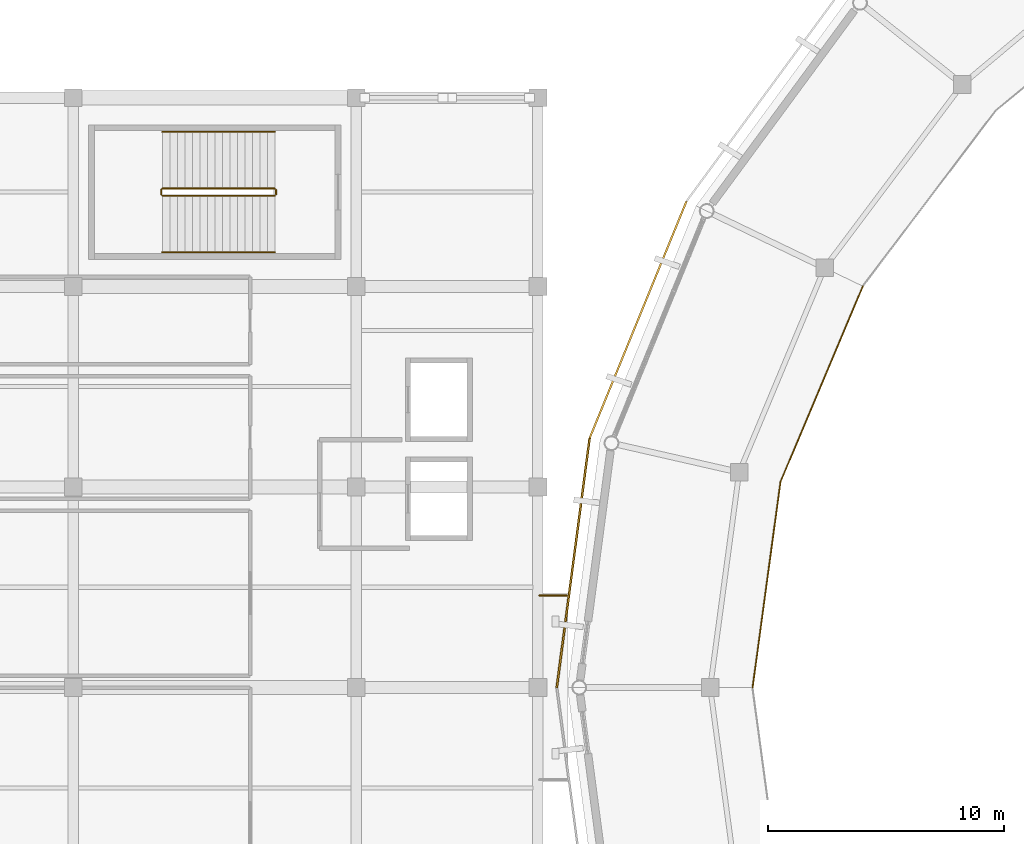
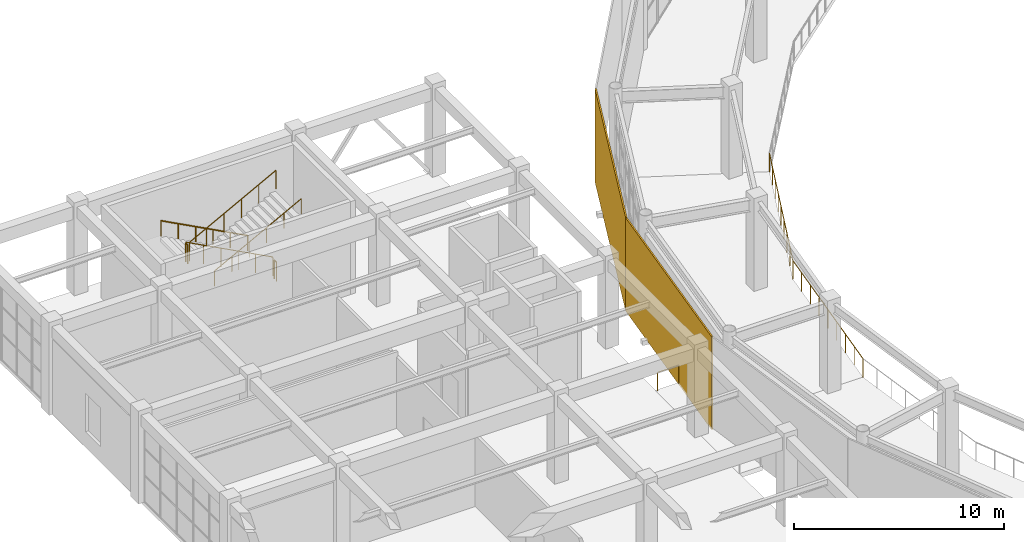
# One storey, part 65 of 70: 9 railings, 2 coverings.
"""IFC4 building model written with IfcOpenShell, lengths in metres."""

from ifc_helpers import new_model, si_unit, direction, frame, frame_2d, origin, origin_2d, place, context, subcontext, project, spatial, rectangle, circle, extrude, material, layer, layer_set, type_object, element, save


model = new_model("IFC4")

# Units and contexts
model_context = context("Model", 3, precision=1e-05, world=origin(), true_north=direction((0.0, 1.0)))
body_context = subcontext(model_context, "Body", "Model", "MODEL_VIEW")
ifc_project = project(units=[si_unit("LENGTHUNIT", "METRE"), si_unit("AREAUNIT", "SQUARE_METRE"), si_unit("VOLUMEUNIT", "CUBIC_METRE"), si_unit("PLANEANGLEUNIT", "RADIAN"), si_unit("MASSUNIT", "GRAM", prefix="KILO")], contexts=[model_context])

# Site, building, storey
site_placement = place(None, origin())
site = spatial("IfcSite", under=ifc_project, at=site_placement, CompositionType="ELEMENT")
building_placement = place(site_placement, origin())
building = spatial("IfcBuilding", under=site, at=building_placement, Name="Cuetzalor Civic Arena", CompositionType="ELEMENT")
storey_placement = place(building_placement, frame((0.0, 0.0, 21.0)))
storey = spatial("IfcBuildingStorey", under=building, at=storey_placement, Name="L04", CompositionType="ELEMENT", Elevation=21.0)

# Railings
ifc_material_1 = material(Name="Reseda-green Steel S355 and laminated glass guard", Category="steel")
railing_type_1 = type_object("IfcRailingType", Name="BowlSightlineGuard_1100", PredefinedType="BALUSTRADE", material=ifc_material_1)
railing_1_placement = place(storey_placement, frame((-42.525634765625, 17.00830078125, 0.0)))
element("IfcRailing", 1, at=railing_1_placement, inside=storey, type_object=railing_type_1, Name="Sky Gallery Bowl Rim Balustrade S13", PredefinedType="BALUSTRADE", context=body_context, shape_type="SweptSolid", body=[
    extrude(circle(Radius=0.02392578125, at=origin_2d()), frame((0.0, 0.0, 1.076171875), z_axis=(-0.388281571864, -0.921540786374, 0.0), x_axis=(0.921540786374, -0.388281571864, 0.0)), (0.0, 0.0, 1.0), 8.99072265625),
    extrude(circle(Radius=0.02099609375, at=origin_2d()), origin(), (0.0, 0.0, 1.0), 1.052001953125),
    extrude(circle(Radius=0.02099609375, at=origin_2d()), frame((-0.436279296875, -1.03564453125, 0.0)), (0.0, 0.0, 1.0), 1.052001953125),
    extrude(circle(Radius=0.02099609375, at=origin_2d()), frame((-0.872802734375, -2.0712890625, 0.0)), (0.0, 0.0, 1.0), 1.052001953125),
    extrude(circle(Radius=0.02099609375, at=origin_2d()), frame((-1.30908203125, -3.10693359375, 0.0)), (0.0, 0.0, 1.0), 1.052001953125),
    extrude(circle(Radius=0.02099609375, at=origin_2d()), frame((-1.74560546875, -4.142578125, 0.0)), (0.0, 0.0, 1.0), 1.052001953125),
    extrude(circle(Radius=0.02099609375, at=origin_2d()), frame((-2.181884765625, -5.178466796875, 0.0)), (0.0, 0.0, 1.0), 1.052001953125),
    extrude(circle(Radius=0.02099609375, at=origin_2d()), frame((-2.6181640625, -6.214111328125, 0.0)), (0.0, 0.0, 1.0), 1.052001953125),
    extrude(circle(Radius=0.02099609375, at=origin_2d()), frame((-3.0546875, -7.249755859375, 0.0)), (0.0, 0.0, 1.0), 1.052001953125),
    extrude(circle(Radius=0.02099609375, at=origin_2d()), frame((-3.490966796875, -8.285400390625, 0.0)), (0.0, 0.0, 1.0), 1.052001953125),
])
railing_2_placement = place(storey_placement, frame((-46.0166015625, 8.722900390625, 0.0)))
element("IfcRailing", 2, at=railing_2_placement, inside=storey, type_object=railing_type_1, Name="Sky Gallery Bowl Rim Balustrade S14", PredefinedType="BALUSTRADE", context=body_context, shape_type="SweptSolid", body=[
    extrude(circle(Radius=0.02392578125, at=origin_2d()), frame((0.0, 0.0, 1.076171875), z_axis=(-0.134428756655, -0.990923261097, 0.0), x_axis=(0.990923261097, -0.134428756655, 0.0)), (0.0, 0.0, 1.0), 8.802734375),
    extrude(circle(Radius=0.02099609375, at=origin_2d()), origin(), (0.0, 0.0, 1.0), 1.052001953125),
    extrude(circle(Radius=0.02099609375, at=origin_2d()), frame((-0.14794921875, -1.09033203125, 0.0)), (0.0, 0.0, 1.0), 1.052001953125),
    extrude(circle(Radius=0.02099609375, at=origin_2d()), frame((-0.2958984375, -2.1806640625, 0.0)), (0.0, 0.0, 1.0), 1.052001953125),
    extrude(circle(Radius=0.02099609375, at=origin_2d()), frame((-0.44384765625, -3.27099609375, 0.0)), (0.0, 0.0, 1.0), 1.052001953125),
    extrude(circle(Radius=0.02099609375, at=origin_2d()), frame((-0.591796875, -4.361328125, 0.0)), (0.0, 0.0, 1.0), 1.052001953125),
    extrude(circle(Radius=0.02099609375, at=origin_2d()), frame((-0.739501953125, -5.451904296875, 0.0)), (0.0, 0.0, 1.0), 1.052001953125),
    extrude(circle(Radius=0.02099609375, at=origin_2d()), frame((-0.887451171875, -6.542236328125, 0.0)), (0.0, 0.0, 1.0), 1.052001953125),
    extrude(circle(Radius=0.02099609375, at=origin_2d()), frame((-1.035400390625, -7.632568359375, 0.0)), (0.0, 0.0, 1.0), 1.052001953125),
    extrude(circle(Radius=0.02099609375, at=origin_2d()), frame((-1.183349609375, -8.722900390625, 0.0)), (0.0, 0.0, 1.0), 1.052001953125),
])
ifc_material_2 = material(Name="Reseda-green architectural Steel S355 balustrade", Category="steel")
railing_type_2 = type_object("IfcRailingType", Name="InteriorVoidBalustrade_1100", PredefinedType="BALUSTRADE", material=ifc_material_2)
railing_3_placement = place(storey_placement, frame((-67.449951171875, 21.14990234375, 0.168701171875)))
element("IfcRailing", 3, at=railing_3_placement, inside=storey, type_object=railing_type_2, Name="L04 ST-17 stair guard 1", PredefinedType="BALUSTRADE", context=body_context, shape_type="SweptSolid", body=[
    extrude(circle(Radius=0.02392578125, at=origin_2d()), frame((0.0, 0.0, 1.0810546875), z_axis=(-0.883332211103, 0.0, 0.468747485143), x_axis=(0.0, -1.0, 0.0)), (0.0, 0.0, 1.0), 5.400146484375),
    extrude(circle(Radius=0.02099609375, at=origin_2d()), origin(), (0.0, 0.0, 1.0), 1.056884765625),
    extrude(circle(Radius=0.02099609375, at=origin_2d()), frame((-0.9541015625, 0.0, 0.50634765625)), (0.0, 0.0, 1.0), 1.056884765625),
    extrude(circle(Radius=0.02099609375, at=origin_2d()), frame((-1.907958984375, 0.0, 1.012451171875)), (0.0, 0.0, 1.0), 1.056884765625),
    extrude(circle(Radius=0.02099609375, at=origin_2d()), frame((-2.862060546875, 0.0, 1.518798828125)), (0.0, 0.0, 1.0), 1.056884765625),
    extrude(circle(Radius=0.02099609375, at=origin_2d()), frame((-3.81591796875, 0.0, 2.02490234375)), (0.0, 0.0, 1.0), 1.056884765625),
    extrude(circle(Radius=0.02099609375, at=origin_2d()), frame((-4.77001953125, 0.0, 2.53125)), (0.0, 0.0, 1.0), 1.056884765625),
])
railing_4_placement = place(storey_placement, frame((-72.27001953125, 21.10009765625, 2.699951171875)))
element("IfcRailing", 4, at=railing_4_placement, inside=storey, type_object=railing_type_2, Name="L04 ST-17 stair guard 2", PredefinedType="BALUSTRADE", context=body_context, shape_type="SweptSolid", body=[
    extrude(circle(Radius=0.02392578125, at=origin_2d()), frame((0.0, 0.0, 1.0810546875), z_axis=(0.0, -1.0, 0.0), x_axis=(1.0, 0.0, 0.0)), (0.0, 0.0, 1.0), 0.2001953125),
    extrude(circle(Radius=0.02099609375, at=origin_2d()), origin(), (0.0, 0.0, 1.0), 1.056884765625),
    extrude(circle(Radius=0.02099609375, at=origin_2d()), frame((0.0, -0.2001953125, 0.0)), (0.0, 0.0, 1.0), 1.056884765625),
])
railing_5_placement = place(storey_placement, frame((-72.219970703125, 20.85009765625, 2.86865234375)))
element("IfcRailing", 5, at=railing_5_placement, inside=storey, type_object=railing_type_2, Name="L04 ST-17 stair guard 3", PredefinedType="BALUSTRADE", context=body_context, shape_type="SweptSolid", body=[
    extrude(circle(Radius=0.02392578125, at=origin_2d()), frame((0.0, 0.0, 1.0810546875), z_axis=(0.883332211103, 0.0, 0.468747485143), x_axis=(0.0, 1.0, 0.0)), (0.0, 0.0, 1.0), 5.400146484375),
    extrude(circle(Radius=0.02099609375, at=origin_2d()), origin(), (0.0, 0.0, 1.0), 1.056884765625),
    extrude(circle(Radius=0.02099609375, at=origin_2d()), frame((0.9541015625, 0.0, 0.50634765625)), (0.0, 0.0, 1.0), 1.056884765625),
    extrude(circle(Radius=0.02099609375, at=origin_2d()), frame((1.907958984375, 0.0, 1.012451171875)), (0.0, 0.0, 1.0), 1.056884765625),
    extrude(circle(Radius=0.02099609375, at=origin_2d()), frame((2.862060546875, 0.0, 1.518798828125)), (0.0, 0.0, 1.0), 1.056884765625),
    extrude(circle(Radius=0.02099609375, at=origin_2d()), frame((3.81591796875, 0.0, 2.02490234375)), (0.0, 0.0, 1.0), 1.056884765625),
    extrude(circle(Radius=0.02099609375, at=origin_2d()), frame((4.77001953125, 0.0, 2.53125)), (0.0, 0.0, 1.0), 1.056884765625),
])
railing_6_placement = place(storey_placement, frame((-67.39990234375, 21.10009765625, 0.0)))
element("IfcRailing", 6, at=railing_6_placement, inside=storey, type_object=railing_type_2, Name="L04 ST-17 stair guard 4", PredefinedType="BALUSTRADE", context=body_context, shape_type="SweptSolid", body=[
    extrude(circle(Radius=0.02392578125, at=origin_2d()), frame((0.0, 0.0, 1.0810546875), z_axis=(0.0, -1.0, 0.0), x_axis=(1.0, 0.0, 0.0)), (0.0, 0.0, 1.0), 0.2001953125),
    extrude(circle(Radius=0.02099609375, at=origin_2d()), origin(), (0.0, 0.0, 1.0), 1.056884765625),
    extrude(circle(Radius=0.02099609375, at=origin_2d()), frame((0.0, -0.2001953125, 0.0)), (0.0, 0.0, 1.0), 1.056884765625),
])
railing_7_placement = place(storey_placement, frame((-56.25, 3.89990234375, 0.0)))
element("IfcRailing", 7, at=railing_7_placement, inside=storey, type_object=railing_type_2, Name="Seismic Bridge Balustrade V4W L04 N", PredefinedType="BALUSTRADE", context=body_context, shape_type="SweptSolid", body=[
    extrude(circle(Radius=0.02392578125, at=origin_2d()), frame((0.0, 0.0, 1.076171875), z_axis=(1.0, 0.0, 0.0), x_axis=(0.0, 1.0, 0.0)), (0.0, 0.0, 1.0), 1.169921875),
    extrude(circle(Radius=0.02099609375, at=origin_2d()), origin(), (0.0, 0.0, 1.0), 1.052001953125),
    extrude(circle(Radius=0.02099609375, at=origin_2d()), frame((1.169921875, 0.0, 0.0)), (0.0, 0.0, 1.0), 1.052001953125),
])
ifc_material_3 = material(Name="Galvanised steel S355", Category="steel")
railing_type_3 = type_object("IfcRailingType", Name="StairPitchHandrail_900", PredefinedType="HANDRAIL", material=ifc_material_3)
railing_8_placement = place(storey_placement, frame((-67.449951171875, 23.550048828125, 0.168701171875)))
element("IfcRailing", 8, at=railing_8_placement, inside=storey, type_object=railing_type_3, Name="L04 ST-17 stair handrail 1", PredefinedType="HANDRAIL", context=body_context, shape_type="SweptSolid", body=[
    extrude(circle(Radius=0.02392578125, at=origin_2d()), frame((0.0, 0.0, 0.8759765625), z_axis=(-0.883332211103, 0.0, 0.468747485143), x_axis=(0.0, -1.0, 0.0)), (0.0, 0.0, 1.0), 5.400146484375),
    extrude(circle(Radius=0.02099609375, at=origin_2d()), origin(), (0.0, 0.0, 1.0), 0.851806640625),
    extrude(circle(Radius=0.02099609375, at=origin_2d()), frame((-0.9541015625, 0.0, 0.50634765625)), (0.0, 0.0, 1.0), 0.851806640625),
    extrude(circle(Radius=0.02099609375, at=origin_2d()), frame((-1.907958984375, 0.0, 1.012451171875)), (0.0, 0.0, 1.0), 0.851806640625),
    extrude(circle(Radius=0.02099609375, at=origin_2d()), frame((-2.862060546875, 0.0, 1.518798828125)), (0.0, 0.0, 1.0), 0.851806640625),
    extrude(circle(Radius=0.02099609375, at=origin_2d()), frame((-3.81591796875, 0.0, 2.02490234375)), (0.0, 0.0, 1.0), 0.851806640625),
    extrude(circle(Radius=0.02099609375, at=origin_2d()), frame((-4.77001953125, 0.0, 2.53125)), (0.0, 0.0, 1.0), 0.851806640625),
])
railing_9_placement = place(storey_placement, frame((-72.219970703125, 18.449951171875, 2.86865234375)))
element("IfcRailing", 9, at=railing_9_placement, inside=storey, type_object=railing_type_3, Name="L04 ST-17 stair handrail 2", PredefinedType="HANDRAIL", context=body_context, shape_type="SweptSolid", body=[
    extrude(circle(Radius=0.02392578125, at=origin_2d()), frame((0.0, 0.0, 0.8759765625), z_axis=(0.883332211103, 0.0, 0.468747485143), x_axis=(0.0, 1.0, 0.0)), (0.0, 0.0, 1.0), 5.400146484375),
    extrude(circle(Radius=0.02099609375, at=origin_2d()), origin(), (0.0, 0.0, 1.0), 0.851806640625),
    extrude(circle(Radius=0.02099609375, at=origin_2d()), frame((0.9541015625, 0.0, 0.50634765625)), (0.0, 0.0, 1.0), 0.851806640625),
    extrude(circle(Radius=0.02099609375, at=origin_2d()), frame((1.907958984375, 0.0, 1.012451171875)), (0.0, 0.0, 1.0), 0.851806640625),
    extrude(circle(Radius=0.02099609375, at=origin_2d()), frame((2.862060546875, 0.0, 1.518798828125)), (0.0, 0.0, 1.0), 0.851806640625),
    extrude(circle(Radius=0.02099609375, at=origin_2d()), frame((3.81591796875, 0.0, 2.02490234375)), (0.0, 0.0, 1.0), 0.851806640625),
    extrude(circle(Radius=0.02099609375, at=origin_2d()), frame((4.77001953125, 0.0, 2.53125)), (0.0, 0.0, 1.0), 0.851806640625),
])

# Coverings
ifc_material_4 = material(Name="Terracotta-red perforated anodised aluminium panel", Category="masonry")
ifc_layer = layer(ifc_material_4, 0.080078125)
ifc_layer_set = layer_set([ifc_layer], Name="Terracotta-red perforated anodised aluminium panel")
covering_type = type_object("IfcCoveringType", Name="TerracottaPerforatedScreenPanel", PredefinedType="CLADDING", material=ifc_layer_set)
covering_1_placement = place(storey_placement, frame((-54.1083984375, 10.569580078125, -0.139892578125), z_axis=(0.0, 0.0, 1.0), x_axis=(0.378411973316, 0.925637282336, 0.0)))
element("IfcCovering", 10, at=covering_1_placement, inside=storey, type_object=covering_type, Name="Terracotta Perforated Drum Screen L04-S13", PredefinedType="CLADDING", context=body_context, shape_type="SweptSolid", body=[
    extrude(rectangle(XDim=10.8466796875, YDim=0.080078125, at=frame_2d((5.42333984375, 0.0))), origin(), (0.0, 0.0, 1.0), 5.419921875),
])
covering_2_placement = place(storey_placement, frame((-55.5, 0.0, -0.139892578125), z_axis=(0.0, 0.0, 1.0), x_axis=(0.130534485624, 0.991443769491, 0.0)))
element("IfcCovering", 11, at=covering_2_placement, inside=storey, type_object=covering_type, Name="Terracotta Perforated Drum Screen L04-S14", PredefinedType="CLADDING", context=body_context, shape_type="SweptSolid", body=[
    extrude(rectangle(XDim=10.660888671875, YDim=0.080078125, at=frame_2d((5.33056640625, 0.0))), origin(), (0.0, 0.0, 1.0), 5.419921875),
])

save(model, "model.ifc")
